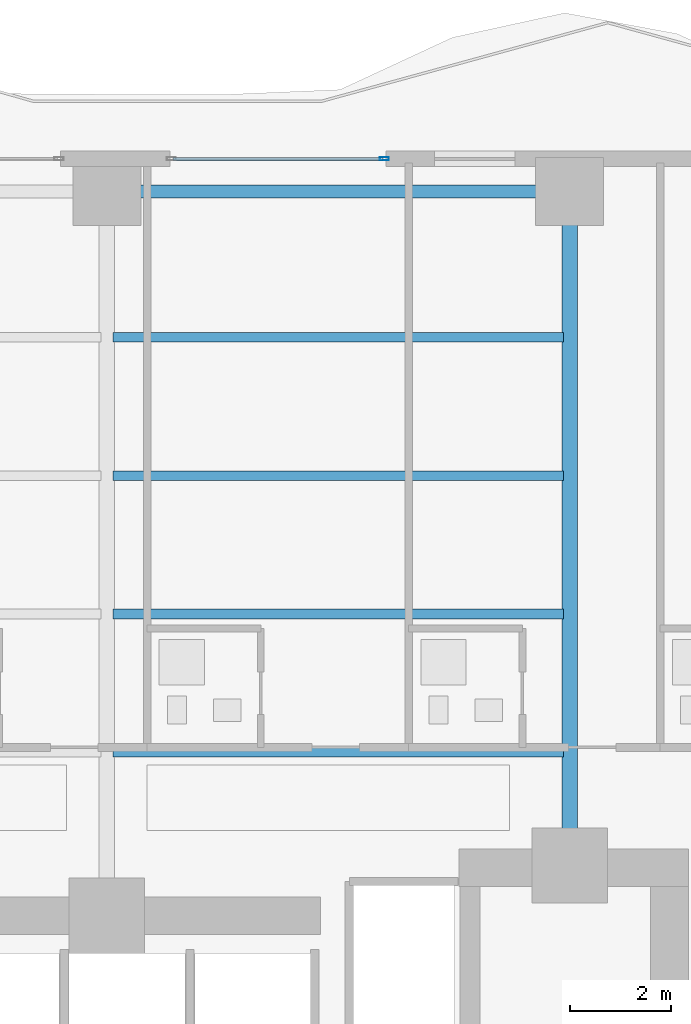
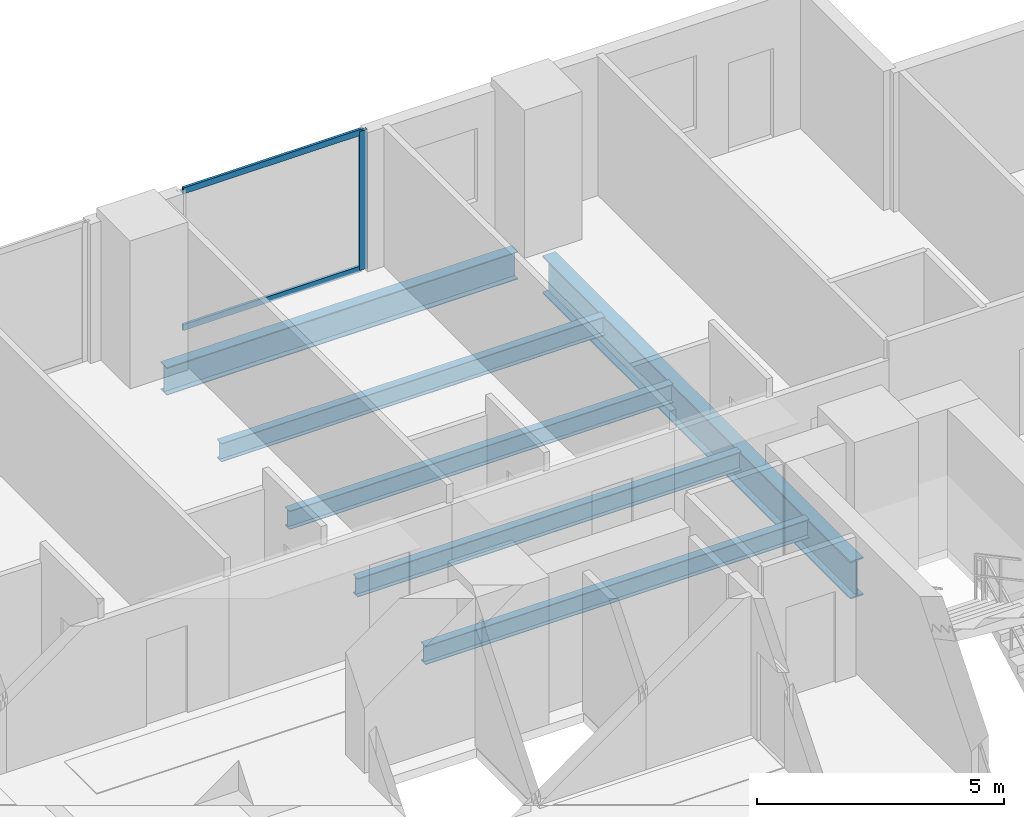
# One storey, part 18 of 28: 6 beams, 3 members, 1 element without a shape of its own.
"""IFC4 building model written with IfcOpenShell, lengths in metres."""

from ifc_helpers import new_model, si_unit, direction, frame, origin, origin_2d, place, context, subcontext, project, spatial, hollow_rectangle, i_section, extrude, material, layer, layer_set, material_profile, profile_set, type_object, element, aggregate, save


model = new_model("IFC4")

# Units and contexts
model_context = context("Model", 3, precision=1e-05, world=origin(), true_north=direction((0.0, 1.0)))
body_context = subcontext(model_context, "Body", "Model", "MODEL_VIEW")
ifc_project = project(units=[si_unit("LENGTHUNIT", "METRE"), si_unit("AREAUNIT", "SQUARE_METRE"), si_unit("VOLUMEUNIT", "CUBIC_METRE"), si_unit("PLANEANGLEUNIT", "RADIAN"), si_unit("MASSUNIT", "GRAM", prefix="KILO")], contexts=[model_context])

# Site, building, storey
site_placement = place(None, origin())
site = spatial("IfcSite", under=ifc_project, at=site_placement, CompositionType="ELEMENT")
building_placement = place(site_placement, origin())
building = spatial("IfcBuilding", under=site, at=building_placement, Name="Zuhayl Quay Hotel", CompositionType="ELEMENT")
storey_placement = place(building_placement, frame((0.0, 0.0, 110.25)))
storey = spatial("IfcBuildingStorey", under=building, at=storey_placement, Name="L27", CompositionType="ELEMENT", Elevation=110.25)

# Beams
ifc_material_1 = material(Name="Steel ASTM A992 Grade 50", Category="steel")
ifc_material_profile_1 = material_profile(ifc_material_1, i_section(OverallWidth=0.25390625, OverallDepth=0.68310546875, WebThickness=0.012451171875, FlangeThickness=0.018798828125, at=origin_2d()), Name="W27X94")
ifc_profile_set_1 = profile_set([ifc_material_profile_1], Name="Steel ASTM A992 Grade 50")
beam_type_1 = type_object("IfcBeamType", Name="BM_B2_W27X94", PredefinedType="BEAM", material=ifc_profile_set_1)
beam_1_placement = place(storey_placement, frame((13.300048828125, 27.75, -0.5615234375), z_axis=(-1.0, 0.0, 0.0), x_axis=(0.0, -1.0, 0.0)))
element("IfcBeam", 1, at=beam_1_placement, inside=storey, type_object=beam_type_1, Name="L27 Floor Beam RG_L27_07", PredefinedType="BEAM", context=body_context, shape_type="SweptSolid", body=[
    extrude(i_section(OverallWidth=0.25390625, OverallDepth=0.68310546875, WebThickness=0.012451171875, FlangeThickness=0.018798828125, at=origin_2d()), origin(), (0.0, 0.0, 1.0), 8.199951171875),
])
ifc_material_profile_2 = material_profile(ifc_material_1, i_section(OverallWidth=0.18994140625, OverallDepth=0.45703125, WebThickness=0.009033203125, FlangeThickness=0.014404296875, at=origin_2d()), Name="W18X50")
ifc_profile_set_2 = profile_set([ifc_material_profile_2], Name="Steel ASTM A992 Grade 50")
beam_type_2 = type_object("IfcBeamType", Name="BM_J2_W18X50", PredefinedType="JOIST", material=ifc_profile_set_2)
for number, where, z_axis, x_axis, name in (
    (2, (4.718994140625, 16.60009765625, -0.448486328125), (1.0, 0.0, 0.0), (0.0, 1.0, 0.0), "L27 Floor Beam FJ_L27_1_3"),
    (3, (4.718994140625, 19.35009765625, -0.448486328125), (1.0, 0.0, 0.0), (0.0, 1.0, 0.0), "L27 Floor Beam FJ_L27_2_3"),
    (4, (4.718994140625, 22.10009765625, -0.448486328125), (1.0, 0.0, 0.0), (0.0, 1.0, 0.0), "L27 Floor Beam FJ_L27_3_3"),
    (5, (4.718994140625, 24.85009765625, -0.448486328125), (1.0, 0.0, 0.0), (0.0, 1.0, 0.0), "L27 Floor Beam FJ_L27_4_3"),
):
    element("IfcBeam", number, at=place(storey_placement, frame(where, z_axis=z_axis, x_axis=x_axis)), inside=storey, type_object=beam_type_2, Name=name, PredefinedType="JOIST", context=body_context, shape_type="SweptSolid", body=[
        extrude(i_section(OverallWidth=0.18994140625, OverallDepth=0.45703125, WebThickness=0.009033203125, FlangeThickness=0.014404296875, at=origin_2d()), origin(), (0.0, 0.0, 1.0), 8.9619140625),
    ])
ifc_material_profile_3 = material_profile(ifc_material_1, i_section(OverallWidth=0.306884765625, OverallDepth=0.927001953125, WebThickness=0.019287109375, FlangeThickness=0.031982421875, at=origin_2d()), Name="W36X194")
ifc_profile_set_3 = profile_set([ifc_material_profile_3], Name="Steel ASTM A992 Grade 50")
beam_type_3 = type_object("IfcBeamType", Name="BM_PG2_W36X194", PredefinedType="BEAM", material=ifc_profile_set_3)
beam_2_placement = place(storey_placement, frame((13.800048828125, 14.800048828125, -0.68359375), z_axis=(0.0, 1.0, 0.0), x_axis=(-1.0, 0.0, 0.0)))
element("IfcBeam", 6, at=beam_2_placement, inside=storey, type_object=beam_type_3, Name="L27 Floor Beam FG_N_L27_4", PredefinedType="BEAM", context=body_context, shape_type="SweptSolid", body=[
    extrude(i_section(OverallWidth=0.306884765625, OverallDepth=0.927001953125, WebThickness=0.019287109375, FlangeThickness=0.031982421875, at=origin_2d()), origin(), (0.0, 0.0, 1.0), 12.449951171875),
])

# Curtain wall, members
ifc_material_2 = material(Name="Anodised Aluminium 6063-T6", Category="aluminium")
ifc_layer = layer(ifc_material_2, 0.179931640625, Name="Anodised Aluminium 6063-T6", Category="aluminium")
ifc_layer_set = layer_set([ifc_layer], Name="Anodised Aluminium 6063-T6")
curtain_wall_type = type_object("IfcCurtainWallType", Name="CW_SYS_Z2", PredefinedType="USERDEFINED", material=ifc_layer_set)
curtain_wall_placement = place(storey_placement, origin())
curtain_wall = element("IfcCurtainWall", 7, at=curtain_wall_placement, inside=storey, type_object=curtain_wall_type, Name="L27 Curtain Wall ENV_L27_N_CW6", ObjectType="UNITISED CURTAIN WALL", PredefinedType="USERDEFINED")
ifc_material_3 = material(Name="Black-anodised aluminium 6063-T6", Category="aluminium")
ifc_material_profile_4 = material_profile(ifc_material_3, hollow_rectangle(XDim=0.06494140625, YDim=0.179931640625, WallThickness=0.00341796875, at=origin_2d()), Name="ALU180X65")
ifc_profile_set_4 = profile_set([ifc_material_profile_4], Name="Black-anodised aluminium 6063-T6")
member_type_1 = type_object("IfcMemberType", Name="MB_CW_MUL_180", PredefinedType="MULLION", material=ifc_profile_set_4)
member_1_placement = place(storey_placement, frame((10.117431640625, 28.39990234375, 0.0), z_axis=(0.0, 0.0, 1.0), x_axis=(0.0, 1.0, 0.0)))
member_1 = element("IfcMember", 8, at=member_1_placement, type_object=member_type_1, Name="CW-Z2 mullion 2", PredefinedType="MULLION", context=body_context, shape_type="SweptSolid", body=[
    extrude(hollow_rectangle(XDim=0.06494140625, YDim=0.179931640625, WallThickness=0.00341796875, at=origin_2d()), origin(), (0.0, 0.0, 1.0), 3.429931640625),
])
ifc_material_profile_5 = material_profile(ifc_material_3, hollow_rectangle(XDim=0.06005859375, YDim=0.14990234375, WallThickness=0.00341796875, at=origin_2d()), Name="ALU150X60")
ifc_profile_set_5 = profile_set([ifc_material_profile_5], Name="Black-anodised aluminium 6063-T6")
member_type_2 = type_object("IfcMemberType", Name="MB_CW_TRN_150", PredefinedType="USERDEFINED", material=ifc_profile_set_5)
member_2_placement = place(storey_placement, frame((5.9150390625, 28.39990234375, 0.030029296875), z_axis=(1.0, 0.0, 0.0), x_axis=(0.0, 1.0, 0.0)))
member_2 = element("IfcMember", 9, at=member_2_placement, type_object=member_type_2, Name="CW-Z2 transom 1.1", ObjectType="TRANSOM", PredefinedType="USERDEFINED", context=body_context, shape_type="SweptSolid", body=[
    extrude(hollow_rectangle(XDim=0.06005859375, YDim=0.14990234375, WallThickness=0.00341796875, at=origin_2d()), origin(), (0.0, 0.0, 1.0), 4.169921875),
])
member_3_placement = place(storey_placement, frame((5.9150390625, 28.39990234375, 3.39990234375), z_axis=(1.0, 0.0, 0.0), x_axis=(0.0, 1.0, 0.0)))
member_3 = element("IfcMember", 10, at=member_3_placement, type_object=member_type_2, Name="CW-Z2 transom 1.2", ObjectType="TRANSOM", PredefinedType="USERDEFINED", context=body_context, shape_type="SweptSolid", body=[
    extrude(hollow_rectangle(XDim=0.06005859375, YDim=0.14990234375, WallThickness=0.00341796875, at=origin_2d()), origin(), (0.0, 0.0, 1.0), 4.169921875),
])
aggregate(curtain_wall, [member_1, member_2, member_3])

save(model, "model.ifc")
